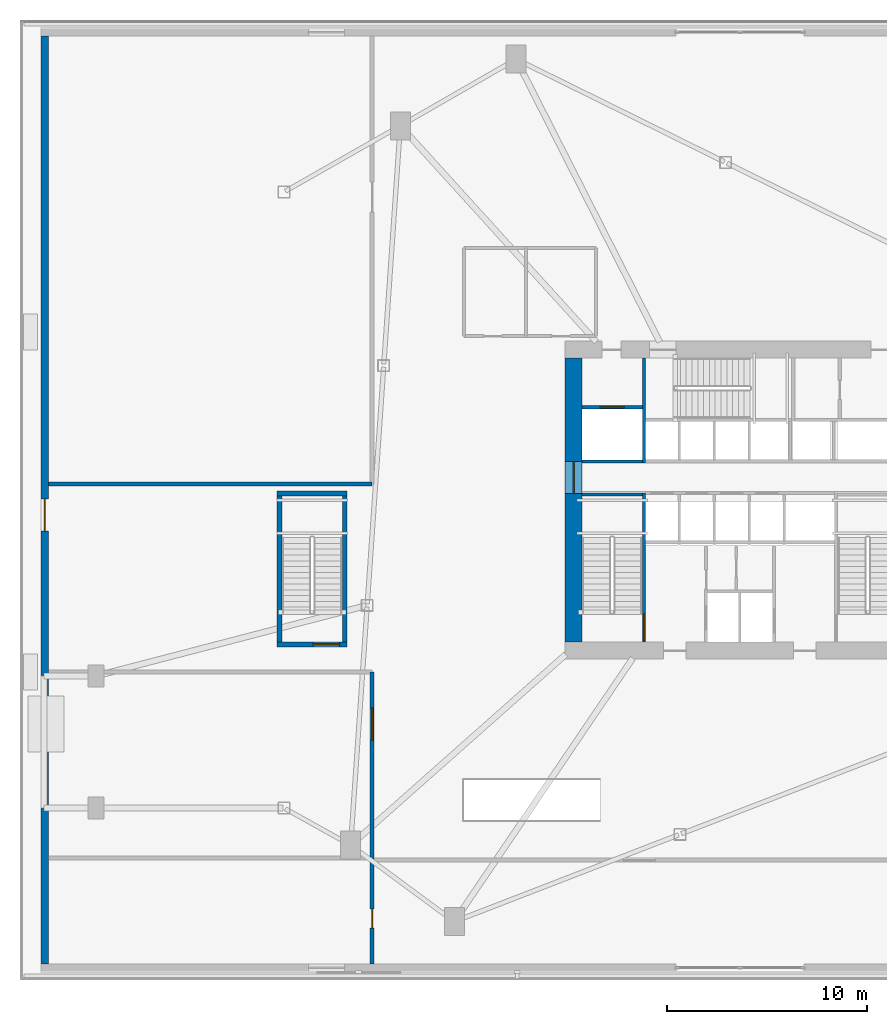
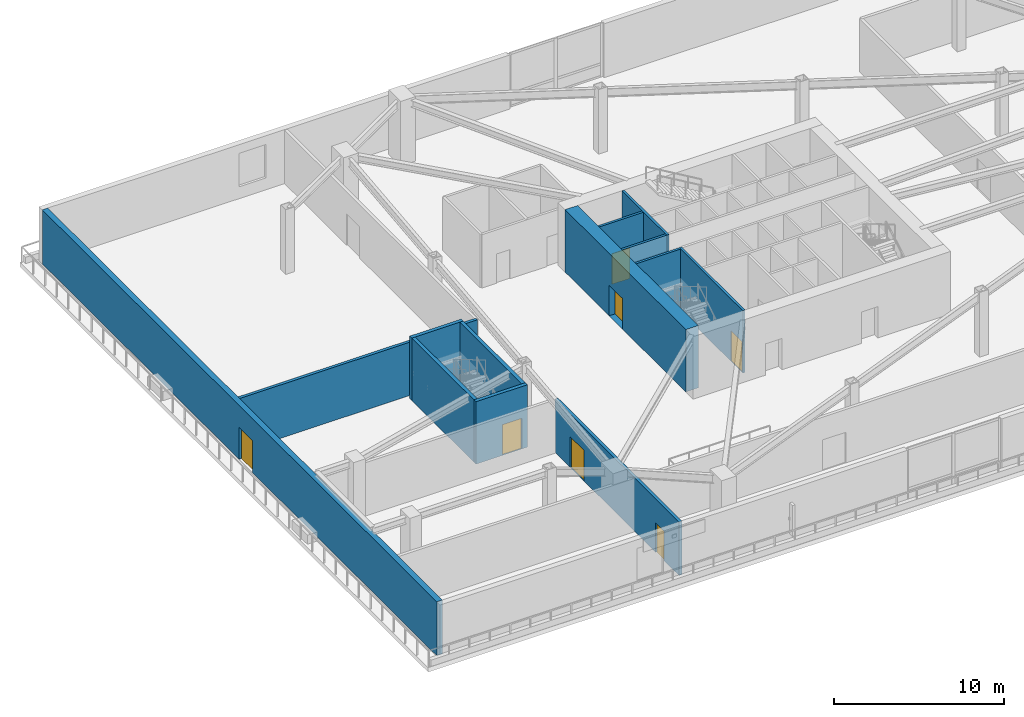
# One storey, part 6 of 14: 13 walls, 7 doors, 7 openings.
"""IFC4 building model written with IfcOpenShell, lengths in metres."""

import ifcopenshell
import ifcopenshell.guid

model = None  # the IFC model being written
_history = None  # IfcOwnerHistory: only IFC2X3 demands one
_inside = {}  # id of a spatial element -> (the spatial element, [elements in it])
_under = {}  # id of a project, library or spatial element -> (it, [spatial elements below it])
_declared = {}  # id of a project -> (the project, [libraries it declares])
_typed = {}  # id of a type object -> (the type object, [elements of that type])
_made_of = {}  # id of a material, layer set ... -> (it, [elements and type objects made of it])


def new_model(schema):
    """Start an empty IFC model of exactly this schema.

    Asked for "IFC4X3", IfcOpenShell would pick the latest addendum, in which some entities
    have other attributes; the version numbers below select the first issue.
    IFC2X3 requires an IfcOwnerHistory on every rooted entity: one is made here for all.
    """
    global model, _history
    if schema == "IFC4X3":
        model = ifcopenshell.file(schema_version=(4, 3, 0, 0))
    else:
        model = ifcopenshell.file(schema=schema)
    _inside.clear()
    _under.clear()
    _declared.clear()
    _typed.clear()
    _made_of.clear()
    _history = None
    if model.schema == "IFC2X3":
        org = make("IfcOrganization", Name="unknown")
        user = make(
            "IfcPersonAndOrganization",
            ThePerson=make("IfcPerson", FamilyName="unknown"),
            TheOrganization=org,
        )
        app = make(
            "IfcApplication",
            ApplicationDeveloper=org,
            Version="unknown",
            ApplicationFullName="unknown",
            ApplicationIdentifier="unknown",
        )
        _history = make(
            "IfcOwnerHistory",
            OwningUser=user,
            OwningApplication=app,
            ChangeAction="ADDED",
            CreationDate=0,
        )
    return model


def make(cls, **values):
    """One entity of the class cls with the attributes given. An attribute that is None is left unset."""
    return model.create_entity(
        cls, **{name: value for name, value in values.items() if value is not None}
    )


def rooted(cls, **values):
    """An entity with a GlobalId (a new one), such as an element, a storey or a relation."""
    return make(cls, GlobalId=ifcopenshell.guid.new(), OwnerHistory=_history, **values)


def si_unit(unit_type, name, prefix=None):
    """IfcSIUnit, for example si_unit("LENGTHUNIT", "METRE", prefix="MILLI")."""
    return make("IfcSIUnit", UnitType=unit_type, Prefix=prefix, Name=name)


def assignment(units):
    """IfcUnitAssignment: the units of a project."""
    return None if units is None else make("IfcUnitAssignment", Units=units)


def point(xyz):
    """IfcCartesianPoint."""
    return None if xyz is None else make("IfcCartesianPoint", Coordinates=xyz)


def direction(xyz):
    """IfcDirection."""
    return None if xyz is None else make("IfcDirection", DirectionRatios=xyz)


def frame(location, z_axis=None, x_axis=None):
    """IfcAxis2Placement3D, a coordinate frame: its origin and axes. An axis left out is left unset."""
    return make(
        "IfcAxis2Placement3D",
        Location=point(location),
        Axis=direction(z_axis),
        RefDirection=direction(x_axis),
    )


def frame_2d(location, x_axis=None):
    """IfcAxis2Placement2D, a coordinate frame in the plane: its origin and x axis."""
    return make(
        "IfcAxis2Placement2D", Location=point(location), RefDirection=direction(x_axis)
    )


def origin():
    """The frame at (0, 0, 0) with its axes left unset."""
    return frame((0.0, 0.0, 0.0))


def place(relative_to, where):
    """IfcLocalPlacement: puts the frame where relative to a parent placement (None: the world)."""
    return make(
        "IfcLocalPlacement", PlacementRelTo=relative_to, RelativePlacement=where
    )


def context(
    kind, dimensions, precision=None, world=None, true_north=None, identifier=None
):
    """IfcGeometricRepresentationContext, for example the 3D "Model" context."""
    return make(
        "IfcGeometricRepresentationContext",
        ContextIdentifier=identifier,
        ContextType=kind,
        CoordinateSpaceDimension=dimensions,
        Precision=precision,
        WorldCoordinateSystem=world,
        TrueNorth=true_north,
    )


def subcontext(parent, identifier, kind, view, scale=None):
    """IfcGeometricRepresentationSubContext, for example "Body" below "Model"."""
    return make(
        "IfcGeometricRepresentationSubContext",
        ContextIdentifier=identifier,
        ContextType=kind,
        ParentContext=parent,
        TargetScale=scale,
        TargetView=view,
    )


def project(units=None, contexts=None):
    """IfcProject with its units and contexts."""
    return rooted(
        "IfcProject",
        Name="project",
        RepresentationContexts=contexts,
        UnitsInContext=assignment(units),
    )


def spatial(cls, under=None, at=None, **own):
    """A site, building, storey or space (cls), placed at a placement, below another one or the project."""
    s = rooted(cls, ObjectPlacement=at, **own)
    if under is not None:
        _under.setdefault(under.id(), (under, []))[1].append(s)
    return s


def profile(cls, at=None, kind="AREA", **sizes):
    """A parametric profile (cls). Its sizes go by their IFC names, for example OverallWidth=200.0."""
    return make(cls, ProfileType=kind, Position=at, **sizes)


def rectangle(**sizes):
    """IfcRectangleProfileDef."""
    return profile("IfcRectangleProfileDef", **sizes)


def extrude(swept, where, along, depth):
    """IfcExtrudedAreaSolid: the profile swept, set in the frame where, extruded along a direction by depth."""
    return make(
        "IfcExtrudedAreaSolid",
        SweptArea=swept,
        Position=where,
        ExtrudedDirection=direction(along),
        Depth=depth,
    )


def shape(context_of_items, identifier, shape_type, items):
    """IfcShapeRepresentation: the items that make up one representation, for example the "Body"."""
    return make(
        "IfcShapeRepresentation",
        ContextOfItems=context_of_items,
        RepresentationIdentifier=identifier,
        RepresentationType=shape_type,
        Items=items,
    )


def source(mapping_origin, context_of_items, identifier, shape_type, items):
    """IfcRepresentationMap: a shape defined once, which mapped items show again and again."""
    return make(
        "IfcRepresentationMap",
        MappingOrigin=mapping_origin,
        MappedRepresentation=shape(context_of_items, identifier, shape_type, items),
    )


def transform(
    local_origin,
    x_axis=None,
    y_axis=None,
    z_axis=None,
    scale=None,
    scale2=None,
    scale3=None,
    uniform=True,
):
    """IfcCartesianTransformationOperator3D, or its non-uniform kind. x_axis, y_axis, z_axis: its Axis1, 2, 3."""
    if uniform:
        return make(
            "IfcCartesianTransformationOperator3D",
            Axis1=direction(x_axis),
            Axis2=direction(y_axis),
            LocalOrigin=point(local_origin),
            Scale=scale,
            Axis3=direction(z_axis),
        )
    return make(
        "IfcCartesianTransformationOperator3DnonUniform",
        Axis1=direction(x_axis),
        Axis2=direction(y_axis),
        LocalOrigin=point(local_origin),
        Scale=scale,
        Axis3=direction(z_axis),
        Scale2=scale2,
        Scale3=scale3,
    )


def mapped(mapping_source, mapping_target):
    """IfcMappedItem: shows the shape of a source again, moved by a transform."""
    return make(
        "IfcMappedItem", MappingSource=mapping_source, MappingTarget=mapping_target
    )


def material(Name=None, Category=None):
    """IfcMaterial."""
    return make("IfcMaterial", Name=Name, Category=Category)


def layer(
    of_material, thickness, ventilated=None, Name=None, Category=None, Priority=None
):
    """IfcMaterialLayer: one layer of a wall or slab, of a material (None: an air gap)."""
    return make(
        "IfcMaterialLayer",
        Material=of_material,
        LayerThickness=thickness,
        IsVentilated=ventilated,
        Name=Name,
        Category=Category,
        Priority=Priority,
    )


def layer_set(layers, Name=None):
    """IfcMaterialLayerSet."""
    return make("IfcMaterialLayerSet", MaterialLayers=layers, LayerSetName=Name)


def made_of(thing, what):
    """Note that an element or type object is made of a material, layer set ...; save() writes the relation."""
    if what is not None:
        _made_of.setdefault(what.id(), (what, []))[1].append(thing)
    return thing


def type_object(cls, material=None, **own):
    """A type object (cls), such as IfcWallType, which elements share."""
    return made_of(rooted(cls, **own), material)


def type_shapes(of_type, sources):
    """Give a type object the sources (RepresentationMaps) that its elements show as mapped items."""
    of_type.RepresentationMaps = sources


def element(
    cls,
    number,
    at=None,
    inside=None,
    cuts=None,
    type_object=None,
    material=None,
    context=None,
    identifier="Body",
    shape_type=None,
    held_by="IfcProductDefinitionShape",
    body=None,
    shapes=None,
    **own,
):
    """One element of the class cls, such as IfcWall. Its Tag is "e" and its number.

    at: its placement. inside: the storey or other place that contains it. cuts: it is an
    opening in that element (IfcRelVoidsElement). A single representation is given by context,
    identifier, shape_type and body (its items); several are given by shapes. held_by: the class
    of the entity that holds the representations. save() writes the other relations.
    """
    e = rooted(cls, Tag="e%d" % number, ObjectPlacement=at, **own)
    if body is not None:
        shapes = [shape(context, identifier, shape_type, body)]
    if shapes is not None:
        e.Representation = make(held_by, Representations=shapes)
    if inside is not None:
        _inside.setdefault(inside.id(), (inside, []))[1].append(e)
    if cuts is not None:
        rooted(
            "IfcRelVoidsElement", RelatingBuildingElement=cuts, RelatedOpeningElement=e
        )
    if type_object is not None:
        _typed.setdefault(type_object.id(), (type_object, []))[1].append(e)
    return made_of(e, material)


def fill(opening, filler):
    """IfcRelFillsElement: the door or window that sits in an opening."""
    return rooted(
        "IfcRelFillsElement",
        RelatingOpeningElement=opening,
        RelatedBuildingElement=filler,
    )


def aggregate(whole, parts):
    """IfcRelAggregates: a whole, such as a stair, and the parts it consists of."""
    return rooted("IfcRelAggregates", RelatingObject=whole, RelatedObjects=parts)


def save(model, path):
    """Write the relations noted so far, then the file.

    IfcRelAggregates (storeys below a building ...), IfcRelContainedInSpatialStructure (elements
    in a storey), IfcRelDefinesByType, IfcRelAssociatesMaterial and IfcRelDeclares: one each for
    every whole, place, type object, material and project.
    """
    for whole, parts in _under.values():
        aggregate(whole, parts)
    for where, things in _inside.values():
        rooted(
            "IfcRelContainedInSpatialStructure",
            RelatedElements=things,
            RelatingStructure=where,
        )
    for kind, things in _typed.values():
        rooted("IfcRelDefinesByType", RelatedObjects=things, RelatingType=kind)
    for what, things in _made_of.values():
        rooted("IfcRelAssociatesMaterial", RelatedObjects=things, RelatingMaterial=what)
    for by, libraries in _declared.values():
        rooted("IfcRelDeclares", RelatingContext=by, RelatedDefinitions=libraries)
    model.write(path)


model = new_model("IFC4")

# Units and contexts
model_context = context("Model", 3, precision=1e-05, world=origin(), true_north=direction((0.0, 1.0)))
body_context = subcontext(model_context, "Body", "Model", "MODEL_VIEW")
ifc_project = project(units=[si_unit("LENGTHUNIT", "METRE"), si_unit("AREAUNIT", "SQUARE_METRE"), si_unit("VOLUMEUNIT", "CUBIC_METRE"), si_unit("PLANEANGLEUNIT", "RADIAN"), si_unit("MASSUNIT", "GRAM", prefix="KILO")], contexts=[model_context])

# Site, building, storey
site_placement = place(None, origin())
site = spatial("IfcSite", under=ifc_project, at=site_placement, CompositionType="ELEMENT")
building_placement = place(site_placement, origin())
building = spatial("IfcBuilding", under=site, at=building_placement, Name="Olszyna Solenne Hotel", CompositionType="ELEMENT")
storey_placement = place(building_placement, frame((0.0, 0.0, 5.39990234375)))
storey = spatial("IfcBuildingStorey", under=building, at=storey_placement, Name="L01", CompositionType="ELEMENT", Elevation=5.39990234375)

# Wall, opening, door
ifc_material_1 = material(Name="Concrete C60/75", Category="concrete")
ifc_layer_1 = layer(ifc_material_1, 0.85009765625, Name="Concrete C60/75")
ifc_layer_set_1 = layer_set([ifc_layer_1], Name="Concrete C60/75")
wall_type_1 = type_object("IfcWallType", Name="WL-CR850", PredefinedType="SHEAR", material=ifc_layer_set_1)
wall_1_placement = place(storey_placement, frame((29.675048828125, 19.5, 0.0), z_axis=(0.0, 0.0, 1.0), x_axis=(0.0, 1.0, 0.0)))
wall_1 = element("IfcWall", 1, at=wall_1_placement, inside=storey, type_object=wall_type_1, Name="Core shear wall WL-CR850 CRW-L01-W", PredefinedType="SHEAR", context=body_context, shape_type="SweptSolid", body=[
    extrude(rectangle(XDim=14.199951171875, YDim=0.85009765625, at=frame_2d((7.10009765625, 0.0))), origin(), (0.0, 0.0, 1.0), 4.47998046875),
])
opening_1_placement = place(wall_1_placement, frame((7.419921875, 0.0, 0.0)))
opening_1 = element("IfcOpeningElement", 2, at=opening_1_placement, cuts=wall_1, Name="Opening LHD-L01-W", PredefinedType="OPENING", context=body_context, shape_type="SweptSolid", body=[
    extrude(rectangle(XDim=1.60009765625, YDim=2.199951171875, at=frame_2d((0.800048828125, 1.10009765625))), frame((0.0, 0.43505859375, 0.0), z_axis=(0.0, -1.0, 0.0), x_axis=(1.0, 0.0, 0.0)), (0.0, 0.0, 1.0), 0.8701171875),
])
ifc_material_2 = material(Name="Timber hardwood", Category="wood")
door_type_1 = type_object("IfcDoorType", Name="DR-CR1", OperationType="DOUBLE_DOOR_SINGLE_SWING", PredefinedType="DOOR", material=ifc_material_2)
shared_shape_1 = source(origin(), body_context, "Body", "SweptSolid", [
    extrude(rectangle(XDim=1.60009765625, YDim=2.199951171875, at=frame_2d((0.800048828125, 1.10009765625))), frame((0.0, 0.02490234375, 0.0), z_axis=(0.0, -1.0, 0.0), x_axis=(1.0, 0.0, 0.0)), (0.0, 0.0, 1.0), 0.050048828125),
])
type_shapes(door_type_1, [shared_shape_1])
door_1_placement = place(opening_1_placement, origin())
door_1 = element("IfcDoor", 3, at=door_1_placement, inside=storey, type_object=door_type_1, Name="Passenger lift lobby West fire door LHD-L01-W", OperationType="DOUBLE_DOOR_SINGLE_SWING", OverallHeight=2.199951171875, OverallWidth=1.60009765625, PredefinedType="DOOR", context=body_context, shape_type="MappedRepresentation", body=[
    mapped(shared_shape_1, transform((0.0, 0.0, 0.0), x_axis=(1.0, 0.0, 0.0), y_axis=(0.0, 1.0, 0.0), z_axis=(0.0, 0.0, 1.0), scale=1.0)),
])
fill(opening_1, door_1)

ifc_material_3 = material(Name="Terracotta cladding on precast concrete C45/55", Category="masonry")
ifc_layer_2 = layer(ifc_material_3, 0.3798828125, Name="Terracotta cladding on precast concrete C45/55")
ifc_layer_set_2 = layer_set([ifc_layer_2], Name="Terracotta cladding on precast concrete C45/55")
wall_type_2 = type_object("IfcWallType", Name="WL-EX380", PredefinedType="SOLIDWALL", material=ifc_layer_set_2)
wall_2_placement = place(storey_placement, frame((3.239990234375, 3.39990234375, 0.0), z_axis=(0.0, 0.0, 1.0), x_axis=(0.0, 1.0, 0.0)))
wall_2 = element("IfcWall", 4, at=wall_2_placement, inside=storey, type_object=wall_type_2, Name="Podium terracotta-precast exterior wall EW-L01-W", PredefinedType="SOLIDWALL", context=body_context, shape_type="SweptSolid", body=[
    extrude(rectangle(XDim=46.400146484375, YDim=0.3798828125, at=frame_2d((23.2001953125, 0.0))), origin(), (0.0, 0.0, 1.0), 3.8720703125),
])
opening_2_placement = place(wall_2_placement, frame((21.64990234375, 0.0, 0.0)))
opening_2 = element("IfcOpeningElement", 5, at=opening_2_placement, cuts=wall_2, Name="Opening TD-L01-W", PredefinedType="OPENING", context=body_context, shape_type="SweptSolid", body=[
    extrude(rectangle(XDim=1.60009765625, YDim=2.300048828125, at=frame_2d((0.800048828125, 1.14990234375))), frame((0.0, 0.199951171875, 0.0), z_axis=(0.0, -1.0, 0.0), x_axis=(1.0, 0.0, 0.0)), (0.0, 0.0, 1.0), 0.39990234375),
])
ifc_material_4 = material(Name="Anodised bronze aluminium", Category="aluminium")
door_type_2 = type_object("IfcDoorType", Name="DR-EX2", OperationType="DOUBLE_DOOR_SINGLE_SWING", PredefinedType="DOOR", material=ifc_material_4)
shared_shape_2 = source(origin(), body_context, "Body", "SweptSolid", [
    extrude(rectangle(XDim=1.60009765625, YDim=2.300048828125, at=frame_2d((0.800048828125, 1.14990234375))), frame((0.0, 0.02490234375, 0.0), z_axis=(0.0, -1.0, 0.0), x_axis=(1.0, 0.0, 0.0)), (0.0, 0.0, 1.0), 0.050048828125),
])
type_shapes(door_type_2, [shared_shape_2])
door_2_placement = place(opening_2_placement, origin())
door_2 = element("IfcDoor", 6, at=door_2_placement, inside=storey, type_object=door_type_2, Name="Garden Terrace Double Door TD-L01-W", OperationType="DOUBLE_DOOR_SINGLE_SWING", OverallHeight=2.300048828125, OverallWidth=1.60009765625, PredefinedType="DOOR", context=body_context, shape_type="MappedRepresentation", body=[
    mapped(shared_shape_2, transform((0.0, 0.0, 0.0), x_axis=(1.0, 0.0, 0.0), y_axis=(0.0, 1.0, 0.0), z_axis=(0.0, 0.0, 1.0), scale=1.0)),
])
fill(opening_2, door_2)

ifc_material_5 = material(Name="Acoustic gypsum partition", Category="gypsum")
ifc_layer_3 = layer(ifc_material_5, 0.159912109375, Name="Acoustic gypsum partition")
ifc_layer_set_3 = layer_set([ifc_layer_3], Name="Acoustic gypsum partition")
wall_type_3 = type_object("IfcWallType", Name="WL-PT160", PredefinedType="PARTITIONING", material=ifc_layer_set_3)
wall_3_placement = place(storey_placement, frame((33.199951171875, 19.5, 0.0), z_axis=(0.0, 0.0, 1.0), x_axis=(0.0, 1.0, 0.0)))
wall_3 = element("IfcWall", 7, at=wall_3_placement, inside=storey, type_object=wall_type_3, Name="Core shaft compartment wall CW-L01-ST1E", PredefinedType="PARTITIONING", context=body_context, shape_type="SweptSolid", body=[
    extrude(rectangle(XDim=7.4599609375, YDim=0.159912109375, at=frame_2d((3.72998046875, 0.0))), origin(), (0.0, 0.0, 1.0), 4.47998046875),
])
opening_3_placement = place(wall_3_placement, frame((0.080078125, 0.0, 0.0)))
opening_3 = element("IfcOpeningElement", 8, at=opening_3_placement, cuts=wall_3, Name="Opening STD-L01-01", PredefinedType="OPENING", context=body_context, shape_type="SweptSolid", body=[
    extrude(rectangle(XDim=1.320068359375, YDim=2.199951171875, at=frame_2d((0.66015625, 1.10009765625))), frame((0.0, 0.08984375, 0.0), z_axis=(0.0, -1.0, 0.0), x_axis=(1.0, 0.0, 0.0)), (0.0, 0.0, 1.0), 0.179931640625),
])
ifc_material_6 = material(Name="Steel S355J2", Category="steel")
door_type_3 = type_object("IfcDoorType", Name="DR-ST1", OperationType="NOTDEFINED", PredefinedType="DOOR", material=ifc_material_6)
shared_shape_3 = source(origin(), body_context, "Body", "SweptSolid", [
    extrude(rectangle(XDim=1.320068359375, YDim=2.199951171875, at=frame_2d((0.66015625, 1.10009765625))), frame((0.0, 0.02490234375, 0.0), z_axis=(0.0, -1.0, 0.0), x_axis=(1.0, 0.0, 0.0)), (0.0, 0.0, 1.0), 0.050048828125),
])
type_shapes(door_type_3, [shared_shape_3])
door_3_placement = place(opening_3_placement, origin())
door_3 = element("IfcDoor", 9, at=door_3_placement, inside=storey, type_object=door_type_3, Name="Pressurised exit stair ST1 fire door STD-L01-01", OperationType="SINGLE_SWING_LEFT", OverallHeight=2.199951171875, OverallWidth=1.320068359375, PredefinedType="DOOR", context=body_context, shape_type="MappedRepresentation", body=[
    mapped(shared_shape_3, transform((0.0, 0.0, 0.0), x_axis=(1.0, 0.0, 0.0), y_axis=(0.0, 1.0, 0.0), z_axis=(0.0, 0.0, 1.0), scale=1.0)),
])
fill(opening_3, door_3)

# Walls
for number, where, z_axis, x_axis, name in (
    (10, (30.10009765625, 26.8798828125, 0.0), (0.0, 0.0, 1.0), (1.0, 0.0, 0.0), "Core shaft compartment wall CW-L01-ST1N"),
    (11, (30.10009765625, 28.52001953125, 0.0), (0.0, 0.0, 1.0), (1.0, 0.0, 0.0), "Core shaft compartment wall CW-L01-SV1S"),
):
    element("IfcWall", number, at=place(storey_placement, frame(where, z_axis=z_axis, x_axis=x_axis)), inside=storey, type_object=wall_type_3, Name=name, PredefinedType="PARTITIONING", context=body_context, shape_type="SweptSolid", body=[
        extrude(rectangle(XDim=3.02001953125, YDim=0.159912109375, at=frame_2d((1.510009765625, 0.0))), origin(), (0.0, 0.0, 1.0), 4.47998046875),
    ])
wall_4_placement = place(storey_placement, frame((33.199951171875, 28.43994140625, 0.0), z_axis=(0.0, 0.0, 1.0), x_axis=(0.0, 1.0, 0.0)))
element("IfcWall", 12, at=wall_4_placement, inside=storey, type_object=wall_type_3, Name="Core shaft compartment wall CW-L01-SV1E", PredefinedType="PARTITIONING", context=body_context, shape_type="SweptSolid", body=[
    extrude(rectangle(XDim=5.260009765625, YDim=0.159912109375, at=frame_2d((2.6298828125, 0.0))), origin(), (0.0, 0.0, 1.0), 4.47998046875),
])

# Wall, opening, door
wall_5_placement = place(storey_placement, frame((30.10009765625, 31.239990234375, 0.0), z_axis=(0.0, 0.0, 1.0), x_axis=(1.0, 0.0, 0.0)))
wall_5 = element("IfcWall", 13, at=wall_5_placement, inside=storey, type_object=wall_type_3, Name="Core shaft compartment wall CW-L01-SV1N", PredefinedType="PARTITIONING", context=body_context, shape_type="SweptSolid", body=[
    extrude(rectangle(XDim=3.02001953125, YDim=0.159912109375, at=frame_2d((1.510009765625, 0.0))), origin(), (0.0, 0.0, 1.0), 4.47998046875),
])
opening_4_placement = place(wall_5_placement, frame((0.909912109375, 0.0, 0.0)))
opening_4 = element("IfcOpeningElement", 14, at=opening_4_placement, cuts=wall_5, Name="Opening LD-L01-SV1", PredefinedType="OPENING", context=body_context, shape_type="SweptSolid", body=[
    extrude(rectangle(XDim=1.199951171875, YDim=2.199951171875, at=frame_2d((0.60009765625, 1.10009765625))), frame((0.0, 0.08984375, 0.0), z_axis=(0.0, -1.0, 0.0), x_axis=(1.0, 0.0, 0.0)), (0.0, 0.0, 1.0), 0.179931640625),
])
door_type_4 = type_object("IfcDoorType", Name="LD-FF1", OperationType="DOUBLE_DOOR_SLIDING", PredefinedType="DOOR", material=ifc_material_6)
shared_shape_4 = source(origin(), body_context, "Body", "SweptSolid", [
    extrude(rectangle(XDim=1.199951171875, YDim=2.199951171875, at=frame_2d((0.60009765625, 1.10009765625))), frame((0.0, 0.02490234375, 0.0), z_axis=(0.0, -1.0, 0.0), x_axis=(1.0, 0.0, 0.0)), (0.0, 0.0, 1.0), 0.050048828125),
])
type_shapes(door_type_4, [shared_shape_4])
door_4_placement = place(opening_4_placement, origin())
door_4 = element("IfcDoor", 15, at=door_4_placement, inside=storey, type_object=door_type_4, Name="Service lift SV1 sliding landing door LD-L01-SV1", OperationType="DOUBLE_DOOR_SLIDING", OverallHeight=2.199951171875, OverallWidth=1.199951171875, PredefinedType="DOOR", context=body_context, shape_type="MappedRepresentation", body=[
    mapped(shared_shape_4, transform((0.0, 0.0, 0.0), x_axis=(1.0, 0.0, 0.0), y_axis=(0.0, 1.0, 0.0), z_axis=(0.0, 0.0, 1.0), scale=1.0)),
])
fill(opening_4, door_4)

# Wall, openings, doors
ifc_layer_4 = layer(ifc_material_5, 0.199951171875, Name="Acoustic gypsum partition")
ifc_layer_set_4 = layer_set([ifc_layer_4], Name="Acoustic gypsum partition")
wall_type_4 = type_object("IfcWallType", Name="WL-PT200", PredefinedType="PARTITIONING", material=ifc_layer_set_4)
wall_6_placement = place(storey_placement, frame((19.60009765625, 3.39990234375, 0.0), z_axis=(0.0, 0.0, 1.0), x_axis=(0.0, 1.0, 0.0)))
wall_6 = element("IfcWall", 16, at=wall_6_placement, inside=storey, type_object=wall_type_4, Name="Interior acoustic partition WL-PT200 PW-L01-0135", PredefinedType="PARTITIONING", context=body_context, shape_type="SweptSolid", body=[
    extrude(rectangle(XDim=14.60009765625, YDim=0.199951171875, at=frame_2d((7.300048828125, 0.0))), origin(), (0.0, 0.0, 1.0), 3.830078125),
])
opening_5_placement = place(wall_6_placement, frame((1.800048828125, 0.0, 0.0)))
opening_5 = element("IfcOpeningElement", 17, at=opening_5_placement, cuts=wall_6, Name="Opening DR-L01-0025", PredefinedType="OPENING", context=body_context, shape_type="SweptSolid", body=[
    extrude(rectangle(XDim=0.949951171875, YDim=2.10009765625, at=frame_2d((0.47509765625, 1.050048828125))), frame((0.0, 0.10986328125, 0.0), z_axis=(0.0, -1.0, 0.0), x_axis=(1.0, 0.0, 0.0)), (0.0, 0.0, 1.0), 0.219970703125),
])
opening_6_placement = place(wall_6_placement, frame((11.199951171875, 0.0, 0.0)))
opening_6 = element("IfcOpeningElement", 18, at=opening_6_placement, cuts=wall_6, Name="Opening DR-L01-0026", PredefinedType="OPENING", context=body_context, shape_type="SweptSolid", body=[
    extrude(rectangle(XDim=1.60009765625, YDim=2.199951171875, at=frame_2d((0.800048828125, 1.10009765625))), frame((0.0, 0.10986328125, 0.0), z_axis=(0.0, -1.0, 0.0), x_axis=(1.0, 0.0, 0.0)), (0.0, 0.0, 1.0), 0.219970703125),
])
door_type_5 = type_object("IfcDoorType", Name="DR-SV1", OperationType="NOTDEFINED", PredefinedType="DOOR", material=ifc_material_6)
shared_shape_5 = source(origin(), body_context, "Body", "SweptSolid", [
    extrude(rectangle(XDim=0.949951171875, YDim=2.10009765625, at=frame_2d((0.47509765625, 1.050048828125))), frame((0.0, 0.02490234375, 0.0), z_axis=(0.0, -1.0, 0.0), x_axis=(1.0, 0.0, 0.0)), (0.0, 0.0, 1.0), 0.050048828125),
])
type_shapes(door_type_5, [shared_shape_5])
door_5_placement = place(opening_5_placement, origin())
door_5 = element("IfcDoor", 19, at=door_5_placement, inside=storey, type_object=door_type_5, Name="West Room Door DR-L01-0025", OperationType="SINGLE_SWING_LEFT", OverallHeight=2.10009765625, OverallWidth=0.949951171875, PredefinedType="DOOR", context=body_context, shape_type="MappedRepresentation", body=[
    mapped(shared_shape_5, transform((0.0, 0.0, 0.0), x_axis=(1.0, 0.0, 0.0), y_axis=(0.0, 1.0, 0.0), z_axis=(0.0, 0.0, 1.0), scale=1.0)),
])
fill(opening_5, door_5)
door_6_placement = place(opening_6_placement, origin())
door_6 = element("IfcDoor", 20, at=door_6_placement, inside=storey, type_object=door_type_1, Name="West Salon Door DR-L01-0026", OperationType="DOUBLE_DOOR_SINGLE_SWING", OverallHeight=2.199951171875, OverallWidth=1.60009765625, PredefinedType="DOOR", context=body_context, shape_type="MappedRepresentation", body=[
    mapped(shared_shape_1, transform((0.0, 0.0, 0.0), x_axis=(1.0, 0.0, 0.0), y_axis=(0.0, 1.0, 0.0), z_axis=(0.0, 0.0, 1.0), scale=1.0)),
])
fill(opening_6, door_6)

# Wall
wall_7_placement = place(storey_placement, frame((3.429931640625, 27.39990234375, 0.0), z_axis=(0.0, 0.0, 1.0), x_axis=(1.0, 0.0, 0.0)))
element("IfcWall", 21, at=wall_7_placement, inside=storey, type_object=wall_type_4, Name="Interior acoustic partition WL-PT200 PW-L01-0139", PredefinedType="PARTITIONING", context=body_context, shape_type="SweptSolid", body=[
    extrude(rectangle(XDim=16.170166015625, YDim=0.199951171875, at=frame_2d((8.0849609375, 0.0))), origin(), (0.0, 0.0, 1.0), 3.830078125),
])

# Wall, opening, door
ifc_layer_5 = layer(ifc_material_5, 0.239990234375, Name="Acoustic gypsum partition")
ifc_layer_set_5 = layer_set([ifc_layer_5], Name="Acoustic gypsum partition")
wall_type_5 = type_object("IfcWallType", Name="WL-PT240", PredefinedType="PARTITIONING", material=ifc_layer_set_5)
wall_8_placement = place(storey_placement, frame((18.360107421875, 19.3798828125, 0.0), z_axis=(0.0, 0.0, 1.0), x_axis=(-1.0, 0.0, 0.0)))
wall_8 = element("IfcWall", 22, at=wall_8_placement, inside=storey, type_object=wall_type_5, Name="Core shaft compartment wall CW-L01-ST4S", PredefinedType="PARTITIONING", context=body_context, shape_type="SweptSolid", body=[
    extrude(rectangle(XDim=3.5, YDim=0.239990234375, at=frame_2d((1.75, 0.0))), origin(), (0.0, 0.0, 1.0), 4.47998046875),
])
opening_7_placement = place(wall_8_placement, frame((0.3798828125, 0.0, 0.0)))
opening_7 = element("IfcOpeningElement", 23, at=opening_7_placement, cuts=wall_8, Name="Opening STD-L01-04", PredefinedType="OPENING", context=body_context, shape_type="SweptSolid", body=[
    extrude(rectangle(XDim=1.320068359375, YDim=2.199951171875, at=frame_2d((0.66015625, 1.10009765625))), frame((0.0, 0.1298828125, 0.0), z_axis=(0.0, -1.0, 0.0), x_axis=(1.0, 0.0, 0.0)), (0.0, 0.0, 1.0), 0.260009765625),
])
door_7_placement = place(opening_7_placement, origin())
door_7 = element("IfcDoor", 24, at=door_7_placement, inside=storey, type_object=door_type_3, Name="Podium exit stair ST4 fire door STD-L01-04", OperationType="SINGLE_SWING_LEFT", OverallHeight=2.199951171875, OverallWidth=1.320068359375, PredefinedType="DOOR", context=body_context, shape_type="MappedRepresentation", body=[
    mapped(shared_shape_3, transform((0.0, 0.0, 0.0), x_axis=(1.0, 0.0, 0.0), y_axis=(0.0, 1.0, 0.0), z_axis=(0.0, 0.0, 1.0), scale=1.0)),
])
fill(opening_7, door_7)

# Walls
wall_9_placement = place(storey_placement, frame((14.860107421875, 26.919921875, 0.0), z_axis=(0.0, 0.0, 1.0), x_axis=(1.0, 0.0, 0.0)))
element("IfcWall", 25, at=wall_9_placement, inside=storey, type_object=wall_type_5, Name="Core shaft compartment wall CW-L01-ST4N", PredefinedType="PARTITIONING", context=body_context, shape_type="SweptSolid", body=[
    extrude(rectangle(XDim=3.5, YDim=0.239990234375, at=frame_2d((1.75, 0.0))), origin(), (0.0, 0.0, 1.0), 4.47998046875),
])
for number, where, z_axis, x_axis, name in (
    (26, (14.97998046875, 19.5, 0.0), (0.0, 0.0, 1.0), (0.0, 1.0, 0.0), "Core shaft compartment wall CW-L01-ST4W"),
    (27, (18.239990234375, 26.800048828125, 0.0), (0.0, 0.0, 1.0), (0.0, -1.0, 0.0), "Core shaft compartment wall CW-L01-ST4E"),
):
    element("IfcWall", number, at=place(storey_placement, frame(where, z_axis=z_axis, x_axis=x_axis)), inside=storey, type_object=wall_type_5, Name=name, PredefinedType="PARTITIONING", context=body_context, shape_type="SweptSolid", body=[
        extrude(rectangle(XDim=7.300048828125, YDim=0.239990234375, at=frame_2d((3.64990234375, 0.0))), origin(), (0.0, 0.0, 1.0), 4.47998046875),
    ])

save(model, "model.ifc")
